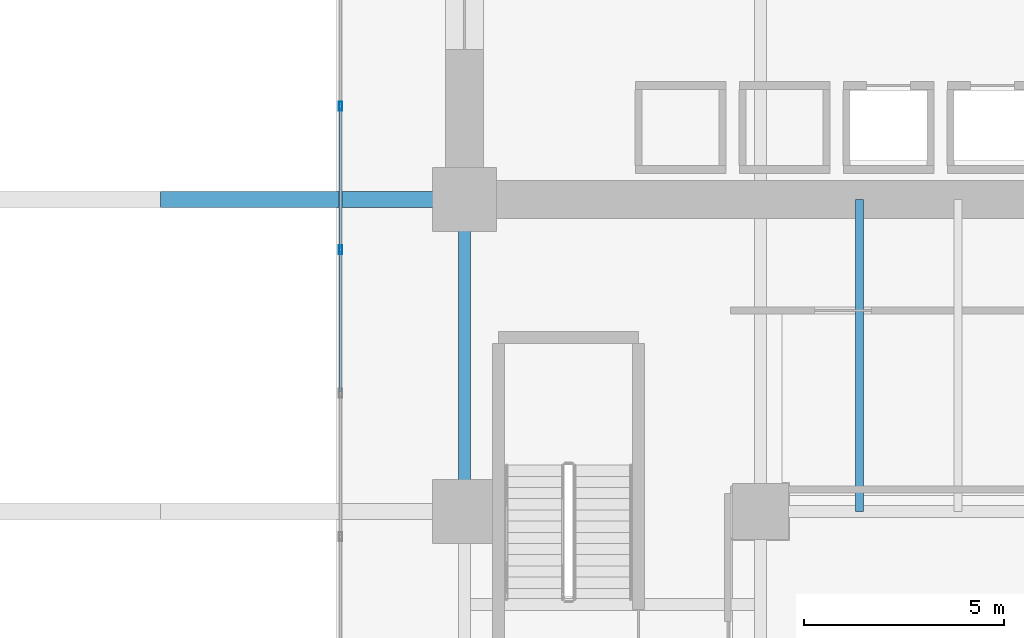
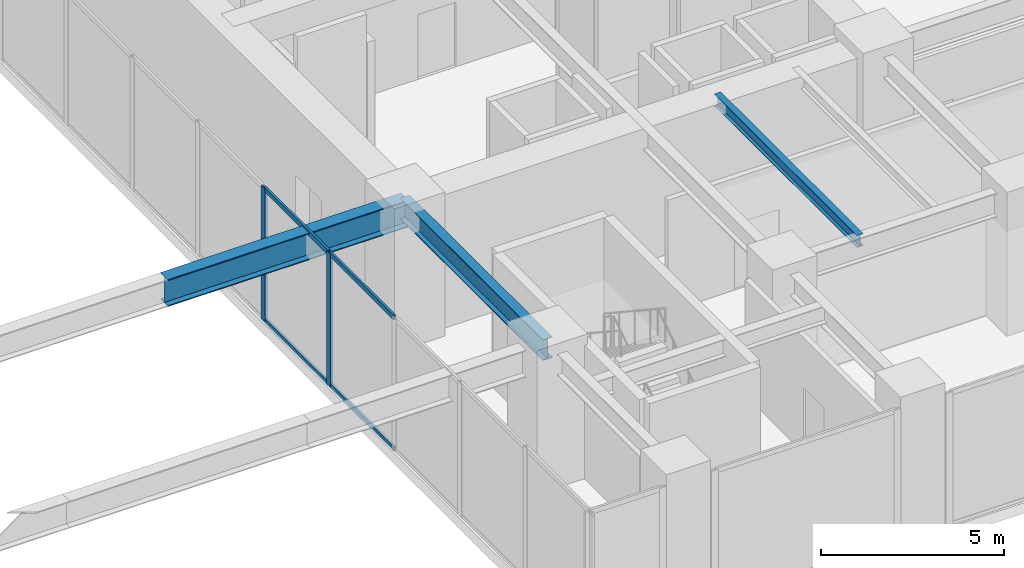
# One storey, part 12 of 39: 6 members, 3 beams, 1 element without a shape of its own.
"""IFC4 building model written with IfcOpenShell, lengths in metres."""

from ifc_helpers import new_model, si_unit, direction, frame, origin, origin_2d, place, context, subcontext, project, spatial, hollow_rectangle, i_section, extrude, source, transform, mapped, material, layer, layer_set, material_profile, profile_set, type_object, type_shapes, element, aggregate, save


model = new_model("IFC4")

# Units and contexts
model_context = context("Model", 3, precision=1e-05, world=origin(), true_north=direction((0.0, 1.0)))
body_context = subcontext(model_context, "Body", "Model", "MODEL_VIEW")
ifc_project = project(units=[si_unit("LENGTHUNIT", "METRE"), si_unit("AREAUNIT", "SQUARE_METRE"), si_unit("VOLUMEUNIT", "CUBIC_METRE"), si_unit("PLANEANGLEUNIT", "RADIAN"), si_unit("MASSUNIT", "GRAM", prefix="KILO")], contexts=[model_context])

# Site, building, storey
site_placement = place(None, origin())
site = spatial("IfcSite", under=ifc_project, at=site_placement, CompositionType="ELEMENT")
building_placement = place(site_placement, origin())
building = spatial("IfcBuilding", under=site, at=building_placement, Name="Haelvirn Gate Laboratories", CompositionType="ELEMENT")
storey_placement = place(building_placement, frame((0.0, 0.0, 15.0)))
storey = spatial("IfcBuildingStorey", under=building, at=storey_placement, Name="L04", CompositionType="ELEMENT", Elevation=15.0)

# Beams
ifc_material_1 = material(Name="Steel SM355", Category="steel")
ifc_material_profile_1 = material_profile(ifc_material_1, i_section(OverallWidth=0.199951171875, OverallDepth=0.39990234375, WebThickness=0.008056640625, FlangeThickness=0.012939453125, at=origin_2d()), Name="H-400x200x8x13")
ifc_profile_set_1 = profile_set([ifc_material_profile_1], Name="Steel SM355")
beam_type_1 = type_object("IfcBeamType", Name="BM-J-400", PredefinedType="JOIST", material=ifc_profile_set_1)
shared_shape_1 = source(origin(), body_context, "Body", "SweptSolid", [
    extrude(i_section(OverallWidth=0.199951171875, OverallDepth=0.39990234375, WebThickness=0.008056640625, FlangeThickness=0.012939453125, at=origin_2d()), origin(), (0.0, 0.0, 1.0), 7.800048828125),
])
type_shapes(beam_type_1, [shared_shape_1])
beam_1_placement = place(storey_placement, frame((62.469970703125, 7.0, 4.25), z_axis=(0.0, 1.0, 0.0), x_axis=(-1.0, 0.0, 0.0)))
element("IfcBeam", 1, at=beam_1_placement, inside=storey, type_object=beam_type_1, Name="L04 Composite Lab Joist South X62.47", PredefinedType="JOIST", context=body_context, shape_type="MappedRepresentation", body=[
    mapped(shared_shape_1, transform((0.0, 0.0, 0.0), scale=1.0)),
])
ifc_material_profile_2 = material_profile(ifc_material_1, i_section(OverallWidth=0.300048828125, OverallDepth=0.699951171875, WebThickness=0.012939453125, FlangeThickness=0.02392578125, at=origin_2d()), Name="H-700x300x13x24")
ifc_profile_set_2 = profile_set([ifc_material_profile_2], Name="Steel SM355")
beam_type_2 = type_object("IfcBeamType", Name="BM-G-700", PredefinedType="BEAM", material=ifc_profile_set_2)
shared_shape_2 = source(origin(), body_context, "Body", "SweptSolid", [
    extrude(i_section(OverallWidth=0.300048828125, OverallDepth=0.699951171875, WebThickness=0.012939453125, FlangeThickness=0.02392578125, at=origin_2d()), origin(), (0.0, 0.0, 1.0), 7.800048828125),
])
type_shapes(beam_type_2, [shared_shape_2])
beam_2_placement = place(storey_placement, frame((52.60009765625, 7.0, 4.10009765625), z_axis=(0.0, 1.0, 0.0), x_axis=(-1.0, 0.0, 0.0)))
element("IfcBeam", 2, at=beam_2_placement, inside=storey, type_object=beam_type_2, Name="L04 Frame Girder X52.6 (7.0-14.8)", PredefinedType="BEAM", context=body_context, shape_type="MappedRepresentation", body=[
    mapped(shared_shape_2, transform((0.0, 0.0, 0.0), scale=1.0)),
])
ifc_material_2 = material(Name="Steel SM420", Category="steel")
ifc_material_profile_3 = material_profile(ifc_material_2, i_section(OverallWidth=0.39990234375, OverallDepth=0.89990234375, WebThickness=0.01904296875, FlangeThickness=0.031982421875, at=origin_2d()), Name="H-900x400x19x32")
ifc_profile_set_3 = profile_set([ifc_material_profile_3], Name="Steel SM420")
beam_type_3 = type_object("IfcBeamType", Name="BM-TG-900", PredefinedType="BEAM", material=ifc_profile_set_3)
shared_shape_3 = source(origin(), body_context, "Body", "SweptSolid", [
    extrude(i_section(OverallWidth=0.39990234375, OverallDepth=0.89990234375, WebThickness=0.01904296875, FlangeThickness=0.031982421875, at=origin_2d()), origin(), (0.0, 0.0, 1.0), 7.60009765625),
])
type_shapes(beam_type_3, [shared_shape_3])
beam_3_placement = place(storey_placement, frame((45.0, 14.800048828125, 4.0), z_axis=(1.0, 0.0, 0.0), x_axis=(0.0, 1.0, 0.0)))
element("IfcBeam", 3, at=beam_3_placement, inside=storey, type_object=beam_type_3, Name="L05 Portal Transfer Truss Bottom Chord Y14.8-4", PredefinedType="BEAM", context=body_context, shape_type="MappedRepresentation", body=[
    mapped(shared_shape_3, transform((0.0, 0.0, 0.0), scale=1.0)),
])

# Curtain wall, members
ifc_material_3 = material(Name="Anodised bronze unitised aluminium & triple low-E glass", Category="aluminium")
ifc_layer = layer(ifc_material_3, 0.18798828125, Name="CW-SYS-1")
ifc_layer_set = layer_set([ifc_layer], Name="Anodised bronze unitised aluminium & triple low-E glass")
curtain_wall_type = type_object("IfcCurtainWallType", Name="CW-SYS-1", PredefinedType="NOTDEFINED", material=ifc_layer_set)
curtain_wall_placement = place(storey_placement, origin())
curtain_wall = element("IfcCurtainWall", 4, at=curtain_wall_placement, inside=storey, type_object=curtain_wall_type, Name="L04 Unitised Curtain Wall CW-L04-P1-E07", PredefinedType="NOTDEFINED")
ifc_material_4 = material(Name="Extruded aluminium 6063-T6 (anodised bronze)", Category="aluminium")
ifc_material_profile_4 = material_profile(ifc_material_4, hollow_rectangle(XDim=0.070068359375, YDim=0.159912109375, WallThickness=0.0048828125, at=origin_2d()), Name="CWT-160x70x5")
ifc_profile_set_4 = profile_set([ifc_material_profile_4], Name="Extruded aluminium 6063-T6 (anodised bronze)")
member_type_1 = type_object("IfcMemberType", Name="CWT-T160", PredefinedType="USERDEFINED", material=ifc_profile_set_4)
shared_shape_4 = source(origin(), body_context, "Body", "SweptSolid", [
    extrude(hollow_rectangle(XDim=0.070068359375, YDim=0.159912109375, WallThickness=0.0048828125, at=origin_2d()), origin(), (0.0, 0.0, 1.0), 3.505859375),
])
type_shapes(member_type_1, [shared_shape_4])
member_1_placement = place(storey_placement, frame((49.5, 17.088623046875, 0.034912109375), z_axis=(0.0, -1.0, 0.0), x_axis=(1.0, 0.0, 0.0)))
member_1 = element("IfcMember", 5, at=member_1_placement, type_object=member_type_1, Name="CW1 transom 10.1", ObjectType="TRANSOM", PredefinedType="USERDEFINED", context=body_context, shape_type="MappedRepresentation", body=[
    mapped(shared_shape_4, transform((0.0, 0.0, 0.0), scale=1.0)),
])
member_2_placement = place(storey_placement, frame((49.5, 17.088623046875, 4.4150390625), z_axis=(0.0, -1.0, 0.0), x_axis=(1.0, 0.0, 0.0)))
member_2 = element("IfcMember", 6, at=member_2_placement, type_object=member_type_1, Name="CW1 transom 10.2", ObjectType="TRANSOM", PredefinedType="USERDEFINED", context=body_context, shape_type="MappedRepresentation", body=[
    mapped(shared_shape_4, transform((0.0, 0.0, 0.0), scale=1.0)),
])
member_3_placement = place(storey_placement, frame((49.5, 13.5029296875, 0.034912109375), z_axis=(0.0, -1.0, 0.0), x_axis=(1.0, 0.0, 0.0)))
member_3 = element("IfcMember", 7, at=member_3_placement, type_object=member_type_1, Name="CW1 transom 11.1", ObjectType="TRANSOM", PredefinedType="USERDEFINED", context=body_context, shape_type="MappedRepresentation", body=[
    mapped(shared_shape_4, transform((0.0, 0.0, 0.0), scale=1.0)),
])
member_4_placement = place(storey_placement, frame((49.5, 13.5029296875, 4.4150390625), z_axis=(0.0, -1.0, 0.0), x_axis=(1.0, 0.0, 0.0)))
member_4 = element("IfcMember", 8, at=member_4_placement, type_object=member_type_1, Name="CW1 transom 11.2", ObjectType="TRANSOM", PredefinedType="USERDEFINED", context=body_context, shape_type="MappedRepresentation", body=[
    mapped(shared_shape_4, transform((0.0, 0.0, 0.0), scale=1.0)),
])
ifc_material_profile_5 = material_profile(ifc_material_4, hollow_rectangle(XDim=0.080078125, YDim=0.219970703125, WallThickness=0.006103515625, at=origin_2d()), Name="CWM-220x80x6")
ifc_profile_set_5 = profile_set([ifc_material_profile_5], Name="Extruded aluminium 6063-T6 (anodised bronze)")
member_type_2 = type_object("IfcMemberType", Name="CWM-T220", PredefinedType="MULLION", material=ifc_profile_set_5)
shared_shape_5 = source(origin(), body_context, "Body", "SweptSolid", [
    extrude(hollow_rectangle(XDim=0.080078125, YDim=0.219970703125, WallThickness=0.006103515625, at=origin_2d()), origin(), (0.0, 0.0, 1.0), 4.449951171875),
])
type_shapes(member_type_2, [shared_shape_5])
member_5_placement = place(storey_placement, frame((49.5, 17.128662109375, 0.0), z_axis=(0.0, 0.0, 1.0), x_axis=(1.0, 0.0, 0.0)))
member_5 = element("IfcMember", 9, at=member_5_placement, type_object=member_type_2, Name="CW1 mullion 10", PredefinedType="MULLION", context=body_context, shape_type="MappedRepresentation", body=[
    mapped(shared_shape_5, transform((0.0, 0.0, 0.0), scale=1.0)),
])
member_6_placement = place(storey_placement, frame((49.5, 13.54296875, 0.0), z_axis=(0.0, 0.0, 1.0), x_axis=(1.0, 0.0, 0.0)))
member_6 = element("IfcMember", 10, at=member_6_placement, type_object=member_type_2, Name="CW1 mullion 11", PredefinedType="MULLION", context=body_context, shape_type="MappedRepresentation", body=[
    mapped(shared_shape_5, transform((0.0, 0.0, 0.0), scale=1.0)),
])
aggregate(curtain_wall, [member_5, member_6, member_1, member_2, member_3, member_4])

save(model, "model.ifc")
